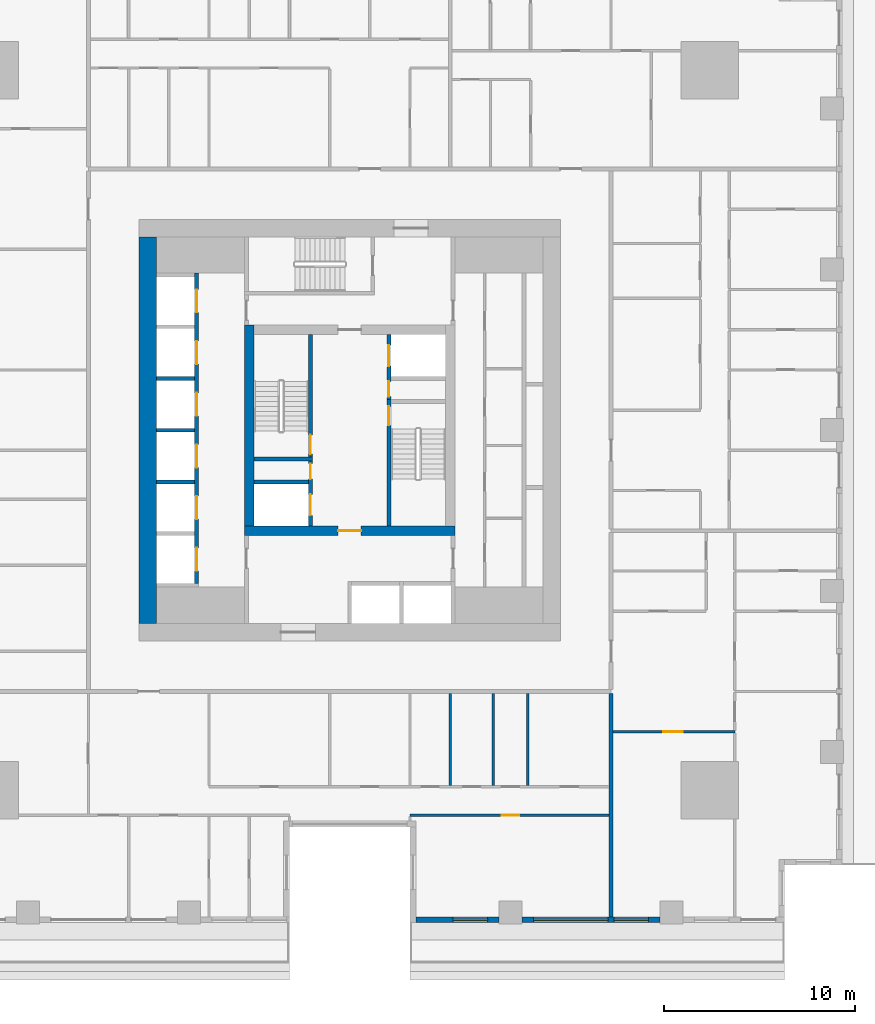
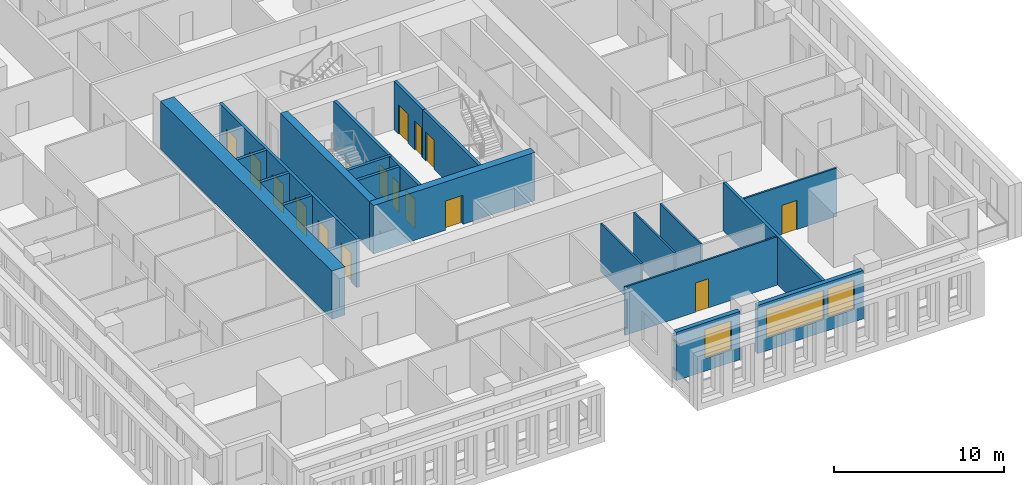
# One storey, part 4 of 15: 21 walls, 15 doors, 3 windows, 18 openings.
"""IFC4 building model written with IfcOpenShell, lengths in metres."""

from ifc_helpers import new_model, si_unit, direction, frame, frame_2d, origin, place, context, subcontext, project, spatial, rectangle, extrude, material, layer, layer_set, type_object, element, fill, save


model = new_model("IFC4")

# Units and contexts
model_context = context("Model", 3, precision=1e-05, world=origin(), true_north=direction((0.0, 1.0)))
body_context = subcontext(model_context, "Body", "Model", "MODEL_VIEW")
ifc_project = project(units=[si_unit("LENGTHUNIT", "METRE"), si_unit("AREAUNIT", "SQUARE_METRE"), si_unit("VOLUMEUNIT", "CUBIC_METRE"), si_unit("PLANEANGLEUNIT", "RADIAN"), si_unit("MASSUNIT", "GRAM", prefix="KILO")], contexts=[model_context])

# Site, building, storey
site_placement = place(None, origin())
site = spatial("IfcSite", under=ifc_project, at=site_placement, CompositionType="ELEMENT")
building_placement = place(site_placement, origin())
building = spatial("IfcBuilding", under=site, at=building_placement, Name="Khepri Terraces", CompositionType="ELEMENT")
storey_placement = place(building_placement, frame((0.0, 0.0, 30.89990234375)))
storey = spatial("IfcBuildingStorey", under=building, at=storey_placement, Name="L06", CompositionType="ELEMENT", Elevation=30.89990234375)

# Wall, opening, door
ifc_material_1 = material(Name="Concrete C80/95", Category="concrete")
ifc_layer_1 = layer(ifc_material_1, 0.199951171875, Name="Concrete C80/95", Category="concrete")
ifc_layer_set_1 = layer_set([ifc_layer_1], Name="Concrete C80/95")
wall_type_1 = type_object("IfcWallType", Name="Core wall 200 C80/95", PredefinedType="SHEAR", material=ifc_layer_set_1)
wall_1_placement = place(storey_placement, frame((2.050048828125, -5.0, 0.0), z_axis=(0.0, 0.0, 1.0), x_axis=(0.0, 1.0, 0.0)))
wall_1 = element("IfcWall", 1, at=wall_1_placement, inside=storey, type_object=wall_type_1, Name="Core wall ST01 L06", PredefinedType="SHEAR", context=body_context, shape_type="SweptSolid", body=[
    extrude(rectangle(XDim=6.60009765625, YDim=0.199951171875, at=frame_2d((3.300048828125, 0.0))), origin(), (0.0, 0.0, 1.0), 3.47998046875),
])
opening_1_placement = place(wall_1_placement, frame((5.25, 0.0, 0.0)))
opening_1 = element("IfcOpeningElement", 2, at=opening_1_placement, cuts=wall_1, Name="Opening L06-C10", PredefinedType="OPENING", context=body_context, shape_type="SweptSolid", body=[
    extrude(rectangle(XDim=1.0, YDim=2.10009765625, at=frame_2d((0.5, 1.050048828125))), frame((0.0, 0.10986328125, 0.0), z_axis=(0.0, -1.0, 0.0), x_axis=(1.0, 0.0, 0.0)), (0.0, 0.0, 1.0), 0.219970703125),
])
ifc_material_2 = material(Name="Painted steel", Category="steel")
door_type_1 = type_object("IfcDoorType", Name="DR-CORE-STAIR-1000", OperationType="NOTDEFINED", PredefinedType="DOOR", material=ifc_material_2)
door_1_placement = place(opening_1_placement, frame((1.0, 0.0, 0.0), z_axis=(0.0, 0.0, 1.0), x_axis=(-1.0, 0.0, 0.0)))
door_1 = element("IfcDoor", 3, at=door_1_placement, inside=storey, type_object=door_type_1, Name="Stair door L06-C10", OperationType="SINGLE_SWING_LEFT", OverallHeight=2.10009765625, OverallWidth=1.0, PredefinedType="DOOR", context=body_context, shape_type="SweptSolid", body=[
    extrude(rectangle(XDim=1.0, YDim=2.10009765625, at=frame_2d((0.5, 1.050048828125))), frame((0.0, 0.02490234375, 0.0), z_axis=(0.0, -1.0, 0.0), x_axis=(1.0, 0.0, 0.0)), (0.0, 0.0, 1.0), 0.050048828125),
])
fill(opening_1, door_1)

# Wall
wall_2_placement = place(storey_placement, frame((-5.0, -1.5, 0.0), z_axis=(0.0, 0.0, 1.0), x_axis=(1.0, 0.0, 0.0)))
element("IfcWall", 4, at=wall_2_placement, inside=storey, type_object=wall_type_1, Name="Core wall ST02 L06", PredefinedType="SHEAR", context=body_context, shape_type="SweptSolid", body=[
    extrude(rectangle(XDim=3.050048828125, YDim=0.199951171875, at=frame_2d((1.52490234375, 0.0))), origin(), (0.0, 0.0, 1.0), 3.47998046875),
])

# Wall, opening, door
wall_3_placement = place(storey_placement, frame((-2.050048828125, -1.39990234375, 0.0), z_axis=(0.0, 0.0, 1.0), x_axis=(0.0, 1.0, 0.0)))
wall_3 = element("IfcWall", 5, at=wall_3_placement, inside=storey, type_object=wall_type_1, Name="Core wall ST03 L06", PredefinedType="SHEAR", context=body_context, shape_type="SweptSolid", body=[
    extrude(rectangle(XDim=6.39990234375, YDim=0.199951171875, at=frame_2d((3.199951171875, 0.0))), origin(), (0.0, 0.0, 1.0), 3.47998046875),
])
opening_2_placement = place(wall_3_placement, frame((0.14990234375, 0.0, 0.0)))
opening_2 = element("IfcOpeningElement", 6, at=opening_2_placement, cuts=wall_3, Name="Opening L06-C09", PredefinedType="OPENING", context=body_context, shape_type="SweptSolid", body=[
    extrude(rectangle(XDim=1.0, YDim=2.10009765625, at=frame_2d((0.5, 1.050048828125))), frame((0.0, 0.10986328125, 0.0), z_axis=(0.0, -1.0, 0.0), x_axis=(1.0, 0.0, 0.0)), (0.0, 0.0, 1.0), 0.219970703125),
])
door_2_placement = place(opening_2_placement, origin())
door_2 = element("IfcDoor", 7, at=door_2_placement, inside=storey, type_object=door_type_1, Name="Stair door L06-C09", OperationType="SINGLE_SWING_LEFT", OverallHeight=2.10009765625, OverallWidth=1.0, PredefinedType="DOOR", context=body_context, shape_type="SweptSolid", body=[
    extrude(rectangle(XDim=1.0, YDim=2.10009765625, at=frame_2d((0.5, 1.050048828125))), frame((0.0, 0.02490234375, 0.0), z_axis=(0.0, -1.0, 0.0), x_axis=(1.0, 0.0, 0.0)), (0.0, 0.0, 1.0), 0.050048828125),
])
fill(opening_2, door_2)

# Wall, openings, doors
wall_4_placement = place(storey_placement, frame((-8.0, -8.0, 0.0), z_axis=(0.0, 0.0, 1.0), x_axis=(0.0, 1.0, 0.0)))
wall_4 = element("IfcWall", 8, at=wall_4_placement, inside=storey, type_object=wall_type_1, Name="Core wall SH08 L06", PredefinedType="SHEAR", context=body_context, shape_type="SweptSolid", body=[
    extrude(rectangle(XDim=16.199951171875, YDim=0.199951171875, at=frame_2d((8.10009765625, 0.0))), origin(), (0.0, 0.0, 1.0), 3.47998046875),
])
opening_3_placement = place(wall_4_placement, frame((0.64990234375, 0.0, 0.0)))
opening_3 = element("IfcOpeningElement", 9, at=opening_3_placement, cuts=wall_4, Name="Opening L06-C01", PredefinedType="OPENING", context=body_context, shape_type="SweptSolid", body=[
    extrude(rectangle(XDim=1.199951171875, YDim=2.10009765625, at=frame_2d((0.60009765625, 1.050048828125))), frame((0.0, 0.10986328125, 0.0), z_axis=(0.0, -1.0, 0.0), x_axis=(1.0, 0.0, 0.0)), (0.0, 0.0, 1.0), 0.219970703125),
])
opening_4_placement = place(wall_4_placement, frame((3.35009765625, 0.0, 0.0)))
opening_4 = element("IfcOpeningElement", 10, at=opening_4_placement, cuts=wall_4, Name="Opening L06-C02", PredefinedType="OPENING", context=body_context, shape_type="SweptSolid", body=[
    extrude(rectangle(XDim=1.199951171875, YDim=2.10009765625, at=frame_2d((0.60009765625, 1.050048828125))), frame((0.0, 0.10986328125, 0.0), z_axis=(0.0, -1.0, 0.0), x_axis=(1.0, 0.0, 0.0)), (0.0, 0.0, 1.0), 0.219970703125),
])
opening_5_placement = place(wall_4_placement, frame((6.050048828125, 0.0, 0.0)))
opening_5 = element("IfcOpeningElement", 11, at=opening_5_placement, cuts=wall_4, Name="Opening L06-C03", PredefinedType="OPENING", context=body_context, shape_type="SweptSolid", body=[
    extrude(rectangle(XDim=1.199951171875, YDim=2.10009765625, at=frame_2d((0.60009765625, 1.050048828125))), frame((0.0, 0.10986328125, 0.0), z_axis=(0.0, -1.0, 0.0), x_axis=(1.0, 0.0, 0.0)), (0.0, 0.0, 1.0), 0.219970703125),
])
opening_6_placement = place(wall_4_placement, frame((8.75, 0.0, 0.0)))
opening_6 = element("IfcOpeningElement", 12, at=opening_6_placement, cuts=wall_4, Name="Opening L06-C04", PredefinedType="OPENING", context=body_context, shape_type="SweptSolid", body=[
    extrude(rectangle(XDim=1.199951171875, YDim=2.10009765625, at=frame_2d((0.60009765625, 1.050048828125))), frame((0.0, 0.10986328125, 0.0), z_axis=(0.0, -1.0, 0.0), x_axis=(1.0, 0.0, 0.0)), (0.0, 0.0, 1.0), 0.219970703125),
])
opening_7_placement = place(wall_4_placement, frame((11.449951171875, 0.0, 0.0)))
opening_7 = element("IfcOpeningElement", 13, at=opening_7_placement, cuts=wall_4, Name="Opening L06-C05", PredefinedType="OPENING", context=body_context, shape_type="SweptSolid", body=[
    extrude(rectangle(XDim=1.199951171875, YDim=2.10009765625, at=frame_2d((0.60009765625, 1.050048828125))), frame((0.0, 0.10986328125, 0.0), z_axis=(0.0, -1.0, 0.0), x_axis=(1.0, 0.0, 0.0)), (0.0, 0.0, 1.0), 0.219970703125),
])
opening_8_placement = place(wall_4_placement, frame((14.14990234375, 0.0, 0.0)))
opening_8 = element("IfcOpeningElement", 14, at=opening_8_placement, cuts=wall_4, Name="Opening L06-C06", PredefinedType="OPENING", context=body_context, shape_type="SweptSolid", body=[
    extrude(rectangle(XDim=1.199951171875, YDim=2.10009765625, at=frame_2d((0.60009765625, 1.050048828125))), frame((0.0, 0.10986328125, 0.0), z_axis=(0.0, -1.0, 0.0), x_axis=(1.0, 0.0, 0.0)), (0.0, 0.0, 1.0), 0.219970703125),
])
ifc_material_3 = material(Name="Stainless steel 304", Category="steel")
door_type_2 = type_object("IfcDoorType", Name="DR-CORE-LANDING-1200", OperationType="NOTDEFINED", PredefinedType="DOOR", material=ifc_material_3)
door_3_placement = place(opening_3_placement, origin())
door_3 = element("IfcDoor", 15, at=door_3_placement, inside=storey, type_object=door_type_2, Name="Lift landing door L06-C01", OperationType="SLIDING_TO_LEFT", OverallHeight=2.10009765625, OverallWidth=1.199951171875, PredefinedType="DOOR", context=body_context, shape_type="SweptSolid", body=[
    extrude(rectangle(XDim=1.199951171875, YDim=2.10009765625, at=frame_2d((0.60009765625, 1.050048828125))), frame((0.0, 0.02490234375, 0.0), z_axis=(0.0, -1.0, 0.0), x_axis=(1.0, 0.0, 0.0)), (0.0, 0.0, 1.0), 0.050048828125),
])
fill(opening_3, door_3)
door_4_placement = place(opening_4_placement, origin())
door_4 = element("IfcDoor", 16, at=door_4_placement, inside=storey, type_object=door_type_2, Name="Lift landing door L06-C02", OperationType="SLIDING_TO_LEFT", OverallHeight=2.10009765625, OverallWidth=1.199951171875, PredefinedType="DOOR", context=body_context, shape_type="SweptSolid", body=[
    extrude(rectangle(XDim=1.199951171875, YDim=2.10009765625, at=frame_2d((0.60009765625, 1.050048828125))), frame((0.0, 0.02490234375, 0.0), z_axis=(0.0, -1.0, 0.0), x_axis=(1.0, 0.0, 0.0)), (0.0, 0.0, 1.0), 0.050048828125),
])
fill(opening_4, door_4)
door_5_placement = place(opening_5_placement, origin())
door_5 = element("IfcDoor", 17, at=door_5_placement, inside=storey, type_object=door_type_2, Name="Lift landing door L06-C03", OperationType="SLIDING_TO_LEFT", OverallHeight=2.10009765625, OverallWidth=1.199951171875, PredefinedType="DOOR", context=body_context, shape_type="SweptSolid", body=[
    extrude(rectangle(XDim=1.199951171875, YDim=2.10009765625, at=frame_2d((0.60009765625, 1.050048828125))), frame((0.0, 0.02490234375, 0.0), z_axis=(0.0, -1.0, 0.0), x_axis=(1.0, 0.0, 0.0)), (0.0, 0.0, 1.0), 0.050048828125),
])
fill(opening_5, door_5)
door_6_placement = place(opening_6_placement, origin())
door_6 = element("IfcDoor", 18, at=door_6_placement, inside=storey, type_object=door_type_2, Name="Lift landing door L06-C04", OperationType="SLIDING_TO_LEFT", OverallHeight=2.10009765625, OverallWidth=1.199951171875, PredefinedType="DOOR", context=body_context, shape_type="SweptSolid", body=[
    extrude(rectangle(XDim=1.199951171875, YDim=2.10009765625, at=frame_2d((0.60009765625, 1.050048828125))), frame((0.0, 0.02490234375, 0.0), z_axis=(0.0, -1.0, 0.0), x_axis=(1.0, 0.0, 0.0)), (0.0, 0.0, 1.0), 0.050048828125),
])
fill(opening_6, door_6)
door_7_placement = place(opening_7_placement, origin())
door_7 = element("IfcDoor", 19, at=door_7_placement, inside=storey, type_object=door_type_2, Name="Lift landing door L06-C05", OperationType="SLIDING_TO_LEFT", OverallHeight=2.10009765625, OverallWidth=1.199951171875, PredefinedType="DOOR", context=body_context, shape_type="SweptSolid", body=[
    extrude(rectangle(XDim=1.199951171875, YDim=2.10009765625, at=frame_2d((0.60009765625, 1.050048828125))), frame((0.0, 0.02490234375, 0.0), z_axis=(0.0, -1.0, 0.0), x_axis=(1.0, 0.0, 0.0)), (0.0, 0.0, 1.0), 0.050048828125),
])
fill(opening_7, door_7)
door_8_placement = place(opening_8_placement, origin())
door_8 = element("IfcDoor", 20, at=door_8_placement, inside=storey, type_object=door_type_2, Name="Lift landing door L06-C06", OperationType="SLIDING_TO_LEFT", OverallHeight=2.10009765625, OverallWidth=1.199951171875, PredefinedType="DOOR", context=body_context, shape_type="SweptSolid", body=[
    extrude(rectangle(XDim=1.199951171875, YDim=2.10009765625, at=frame_2d((0.60009765625, 1.050048828125))), frame((0.0, 0.02490234375, 0.0), z_axis=(0.0, -1.0, 0.0), x_axis=(1.0, 0.0, 0.0)), (0.0, 0.0, 1.0), 0.050048828125),
])
fill(opening_8, door_8)

wall_5_placement = place(storey_placement, frame((-2.050048828125, -5.0, 0.0), z_axis=(0.0, 0.0, 1.0), x_axis=(0.0, 1.0, 0.0)))
wall_5 = element("IfcWall", 21, at=wall_5_placement, inside=storey, type_object=wall_type_1, Name="Core wall SH10 L06", PredefinedType="SHEAR", context=body_context, shape_type="SweptSolid", body=[
    extrude(rectangle(XDim=3.39990234375, YDim=0.199951171875, at=frame_2d((1.699951171875, 0.0))), origin(), (0.0, 0.0, 1.0), 3.47998046875),
])
opening_9_placement = place(wall_5_placement, frame((0.550048828125, 0.0, 0.0)))
opening_9 = element("IfcOpeningElement", 22, at=opening_9_placement, cuts=wall_5, Name="Opening L06-C08", PredefinedType="OPENING", context=body_context, shape_type="SweptSolid", body=[
    extrude(rectangle(XDim=1.10009765625, YDim=2.10009765625, at=frame_2d((0.550048828125, 1.050048828125))), frame((0.0, 0.10986328125, 0.0), z_axis=(0.0, -1.0, 0.0), x_axis=(1.0, 0.0, 0.0)), (0.0, 0.0, 1.0), 0.219970703125),
])
opening_10_placement = place(wall_5_placement, frame((2.449951171875, 0.0, 0.0)))
opening_10 = element("IfcOpeningElement", 23, at=opening_10_placement, cuts=wall_5, Name="Opening L06-C12", PredefinedType="OPENING", context=body_context, shape_type="SweptSolid", body=[
    extrude(rectangle(XDim=0.800048828125, YDim=2.10009765625, at=frame_2d((0.39990234375, 1.050048828125))), frame((0.0, 0.10986328125, 0.0), z_axis=(0.0, -1.0, 0.0), x_axis=(1.0, 0.0, 0.0)), (0.0, 0.0, 1.0), 0.219970703125),
])
door_type_3 = type_object("IfcDoorType", Name="DR-CORE-FF-LANDING-1100", OperationType="NOTDEFINED", PredefinedType="DOOR", material=ifc_material_3)
door_9_placement = place(opening_9_placement, origin())
door_9 = element("IfcDoor", 24, at=door_9_placement, inside=storey, type_object=door_type_3, Name="Firefighting lift landing door L06-C08", OperationType="SLIDING_TO_LEFT", OverallHeight=2.10009765625, OverallWidth=1.10009765625, PredefinedType="DOOR", context=body_context, shape_type="SweptSolid", body=[
    extrude(rectangle(XDim=1.10009765625, YDim=2.10009765625, at=frame_2d((0.550048828125, 1.050048828125))), frame((0.0, 0.02490234375, 0.0), z_axis=(0.0, -1.0, 0.0), x_axis=(1.0, 0.0, 0.0)), (0.0, 0.0, 1.0), 0.050048828125),
])
fill(opening_9, door_9)
door_type_4 = type_object("IfcDoorType", Name="DR-CORE-RISER-800", OperationType="NOTDEFINED", PredefinedType="DOOR", material=ifc_material_2)
door_10_placement = place(opening_10_placement, origin())
door_10 = element("IfcDoor", 25, at=door_10_placement, inside=storey, type_object=door_type_4, Name="Riser door L06-C12", OperationType="SINGLE_SWING_RIGHT", OverallHeight=2.10009765625, OverallWidth=0.800048828125, PredefinedType="DOOR", context=body_context, shape_type="SweptSolid", body=[
    extrude(rectangle(XDim=0.800048828125, YDim=2.10009765625, at=frame_2d((0.39990234375, 1.050048828125))), frame((0.0, 0.02490234375, 0.0), z_axis=(0.0, -1.0, 0.0), x_axis=(1.0, 0.0, 0.0)), (0.0, 0.0, 1.0), 0.050048828125),
])
fill(opening_10, door_10)

# Walls
wall_6_placement = place(storey_placement, frame((-10.10009765625, -2.699951171875, 0.0), z_axis=(0.0, 0.0, 1.0), x_axis=(1.0, 0.0, 0.0)))
element("IfcWall", 26, at=wall_6_placement, inside=storey, type_object=wall_type_1, Name="Core wall SH12 L06", PredefinedType="SHEAR", context=body_context, shape_type="SweptSolid", body=[
    extrude(rectangle(XDim=2.0, YDim=0.199951171875, at=frame_2d((1.0, 0.0))), origin(), (0.0, 0.0, 1.0), 3.47998046875),
])
wall_7_placement = place(storey_placement, frame((-5.0, -2.699951171875, 0.0), z_axis=(0.0, 0.0, 1.0), x_axis=(1.0, 0.0, 0.0)))
element("IfcWall", 27, at=wall_7_placement, inside=storey, type_object=wall_type_1, Name="Core wall SH13 L06", PredefinedType="SHEAR", context=body_context, shape_type="SweptSolid", body=[
    extrude(rectangle(XDim=2.85009765625, YDim=0.199951171875, at=frame_2d((1.425048828125, 0.0))), origin(), (0.0, 0.0, 1.0), 3.47998046875),
])
wall_8_placement = place(storey_placement, frame((-10.10009765625, 0.0, 0.0), z_axis=(0.0, 0.0, 1.0), x_axis=(1.0, 0.0, 0.0)))
element("IfcWall", 28, at=wall_8_placement, inside=storey, type_object=wall_type_1, Name="Core wall SH14 L06", PredefinedType="SHEAR", context=body_context, shape_type="SweptSolid", body=[
    extrude(rectangle(XDim=2.0, YDim=0.199951171875, at=frame_2d((1.0, 0.0))), origin(), (0.0, 0.0, 1.0), 3.47998046875),
])

# Wall, openings, doors
wall_9_placement = place(storey_placement, frame((2.050048828125, 1.60009765625, 0.0), z_axis=(0.0, 0.0, 1.0), x_axis=(0.0, 1.0, 0.0)))
wall_9 = element("IfcWall", 29, at=wall_9_placement, inside=storey, type_object=wall_type_1, Name="Core wall SH15 L06", PredefinedType="SHEAR", context=body_context, shape_type="SweptSolid", body=[
    extrude(rectangle(XDim=3.39990234375, YDim=0.199951171875, at=frame_2d((1.699951171875, 0.0))), origin(), (0.0, 0.0, 1.0), 3.47998046875),
])
opening_11_placement = place(wall_9_placement, frame((1.75, 0.0, 0.0)))
opening_11 = element("IfcOpeningElement", 30, at=opening_11_placement, cuts=wall_9, Name="Opening L06-C07", PredefinedType="OPENING", context=body_context, shape_type="SweptSolid", body=[
    extrude(rectangle(XDim=1.10009765625, YDim=2.10009765625, at=frame_2d((0.550048828125, 1.050048828125))), frame((0.0, 0.10986328125, 0.0), z_axis=(0.0, -1.0, 0.0), x_axis=(1.0, 0.0, 0.0)), (0.0, 0.0, 1.0), 0.219970703125),
])
opening_12_placement = place(wall_9_placement, frame((0.14990234375, 0.0, 0.0)))
opening_12 = element("IfcOpeningElement", 31, at=opening_12_placement, cuts=wall_9, Name="Opening L06-C11", PredefinedType="OPENING", context=body_context, shape_type="SweptSolid", body=[
    extrude(rectangle(XDim=0.800048828125, YDim=2.10009765625, at=frame_2d((0.39990234375, 1.050048828125))), frame((0.0, 0.10986328125, 0.0), z_axis=(0.0, -1.0, 0.0), x_axis=(1.0, 0.0, 0.0)), (0.0, 0.0, 1.0), 0.219970703125),
])
door_11_placement = place(opening_11_placement, origin())
door_11 = element("IfcDoor", 32, at=door_11_placement, inside=storey, type_object=door_type_3, Name="Firefighting lift landing door L06-C07", OperationType="SLIDING_TO_LEFT", OverallHeight=2.10009765625, OverallWidth=1.10009765625, PredefinedType="DOOR", context=body_context, shape_type="SweptSolid", body=[
    extrude(rectangle(XDim=1.10009765625, YDim=2.10009765625, at=frame_2d((0.550048828125, 1.050048828125))), frame((0.0, 0.02490234375, 0.0), z_axis=(0.0, -1.0, 0.0), x_axis=(1.0, 0.0, 0.0)), (0.0, 0.0, 1.0), 0.050048828125),
])
fill(opening_11, door_11)
door_12_placement = place(opening_12_placement, frame((0.800048828125, 0.0, 0.0), z_axis=(0.0, 0.0, 1.0), x_axis=(-1.0, 0.0, 0.0)))
door_12 = element("IfcDoor", 33, at=door_12_placement, inside=storey, type_object=door_type_4, Name="Riser door L06-C11", OperationType="SINGLE_SWING_RIGHT", OverallHeight=2.10009765625, OverallWidth=0.800048828125, PredefinedType="DOOR", context=body_context, shape_type="SweptSolid", body=[
    extrude(rectangle(XDim=0.800048828125, YDim=2.10009765625, at=frame_2d((0.39990234375, 1.050048828125))), frame((0.0, 0.02490234375, 0.0), z_axis=(0.0, -1.0, 0.0), x_axis=(1.0, 0.0, 0.0)), (0.0, 0.0, 1.0), 0.050048828125),
])
fill(opening_12, door_12)

# Wall
wall_10_placement = place(storey_placement, frame((-10.10009765625, 2.699951171875, 0.0), z_axis=(0.0, 0.0, 1.0), x_axis=(1.0, 0.0, 0.0)))
element("IfcWall", 34, at=wall_10_placement, inside=storey, type_object=wall_type_1, Name="Core wall SH17 L06", PredefinedType="SHEAR", context=body_context, shape_type="SweptSolid", body=[
    extrude(rectangle(XDim=2.0, YDim=0.199951171875, at=frame_2d((1.0, 0.0))), origin(), (0.0, 0.0, 1.0), 3.47998046875),
])

# Wall, opening, door
ifc_layer_2 = layer(ifc_material_1, 0.5, Name="Concrete C80/95", Category="concrete")
ifc_layer_set_2 = layer_set([ifc_layer_2], Name="Concrete C80/95")
wall_type_2 = type_object("IfcWallType", Name="Core wall 500 C80/95", PredefinedType="SHEAR", material=ifc_layer_set_2)
wall_11_placement = place(storey_placement, frame((-5.5, -5.25, 0.0), z_axis=(0.0, 0.0, 1.0), x_axis=(1.0, 0.0, 0.0)))
wall_11 = element("IfcWall", 35, at=wall_11_placement, inside=storey, type_object=wall_type_2, Name="Core wall BX01 L06", PredefinedType="SHEAR", context=body_context, shape_type="SweptSolid", body=[
    extrude(rectangle(XDim=11.0, YDim=0.5, at=frame_2d((5.5, 0.0))), origin(), (0.0, 0.0, 1.0), 3.47998046875),
])
opening_13_placement = place(wall_11_placement, frame((4.89990234375, 0.0, 0.0)))
opening_13 = element("IfcOpeningElement", 36, at=opening_13_placement, cuts=wall_11, Name="Opening L06-C14", PredefinedType="OPENING", context=body_context, shape_type="SweptSolid", body=[
    extrude(rectangle(XDim=1.199951171875, YDim=2.10009765625, at=frame_2d((0.60009765625, 1.050048828125))), frame((0.0, 0.260009765625, 0.0), z_axis=(0.0, -1.0, 0.0), x_axis=(1.0, 0.0, 0.0)), (0.0, 0.0, 1.0), 0.52001953125),
])
door_type_5 = type_object("IfcDoorType", Name="DR-CORE-FF-LOBBY-1200", OperationType="NOTDEFINED", PredefinedType="DOOR", material=ifc_material_2)
door_13_placement = place(opening_13_placement, origin())
door_13 = element("IfcDoor", 37, at=door_13_placement, inside=storey, type_object=door_type_5, Name="Firefighting lobby door L06-C14", OperationType="SINGLE_SWING_RIGHT", OverallHeight=2.10009765625, OverallWidth=1.199951171875, PredefinedType="DOOR", context=body_context, shape_type="SweptSolid", body=[
    extrude(rectangle(XDim=1.199951171875, YDim=2.10009765625, at=frame_2d((0.60009765625, 1.050048828125))), frame((0.0, 0.02490234375, 0.0), z_axis=(0.0, -1.0, 0.0), x_axis=(1.0, 0.0, 0.0)), (0.0, 0.0, 1.0), 0.050048828125),
])
fill(opening_13, door_13)

# Walls
wall_12_placement = place(storey_placement, frame((-5.25, -5.0, 0.0), z_axis=(0.0, 0.0, 1.0), x_axis=(0.0, 1.0, 0.0)))
element("IfcWall", 38, at=wall_12_placement, inside=storey, type_object=wall_type_2, Name="Core wall BX02 L06", PredefinedType="SHEAR", context=body_context, shape_type="SweptSolid", body=[
    extrude(rectangle(XDim=10.5, YDim=0.5, at=frame_2d((5.25, 0.0))), origin(), (0.0, 0.0, 1.0), 3.47998046875),
])
ifc_layer_3 = layer(ifc_material_1, 0.89990234375, Name="Concrete C80/95", Category="concrete")
ifc_layer_set_3 = layer_set([ifc_layer_3], Name="Concrete C80/95")
wall_type_3 = type_object("IfcWallType", Name="Core wall 900 C80/95", PredefinedType="SHEAR", material=ifc_layer_set_3)
wall_13_placement = place(storey_placement, frame((-10.550048828125, -10.10009765625, 0.0), z_axis=(0.0, 0.0, 1.0), x_axis=(0.0, 1.0, 0.0)))
element("IfcWall", 39, at=wall_13_placement, inside=storey, type_object=wall_type_3, Name="Core wall OW-W L06", PredefinedType="SHEAR", context=body_context, shape_type="SweptSolid", body=[
    extrude(rectangle(XDim=20.2001953125, YDim=0.89990234375, at=frame_2d((10.10009765625, 0.0))), origin(), (0.0, 0.0, 1.0), 3.47998046875),
])
ifc_material_4 = material(Name="Fire-rated gypsum plasterboard partition, mineral wool")
ifc_layer_4 = layer(ifc_material_4, 0.199951171875, Name="Fire-rated gypsum plasterboard partition, mineral wool")
ifc_layer_set_4 = layer_set([ifc_layer_4], Name="Fire-rated gypsum plasterboard partition, mineral wool")
wall_type_4 = type_object("IfcWallType", Name="WL-CORR-200", PredefinedType="PARTITIONING", material=ifc_layer_set_4)
wall_14_placement = place(storey_placement, frame((13.64990234375, -25.419921875, 0.0), z_axis=(0.0, 0.0, 1.0), x_axis=(0.0, 1.0, 0.0)))
element("IfcWall", 40, at=wall_14_placement, inside=storey, type_object=wall_type_4, Name="Partition P-004 L06", PredefinedType="PARTITIONING", context=body_context, shape_type="SweptSolid", body=[
    extrude(rectangle(XDim=11.669921875, YDim=0.199951171875, at=frame_2d((5.8349609375, 0.0))), origin(), (0.0, 0.0, 1.0), 3.47998046875),
])

# Wall, opening, window
ifc_material_5 = material(Name="Precast concrete C50/60 warm stone", Category="masonry")
ifc_layer_5 = layer(ifc_material_5, 0.300048828125, Name="Precast concrete C50/60 warm stone", Category="masonry")
ifc_layer_set_5 = layer_set([ifc_layer_5], Name="Precast concrete C50/60 warm stone")
wall_type_5 = type_object("IfcWallType", Name="WL-EXT-PRECAST-300", PredefinedType="STANDARD", material=ifc_layer_set_5)
wall_15_placement = place(storey_placement, frame((3.449951171875, -25.570068359375, 0.0), z_axis=(0.0, 0.0, 1.0), x_axis=(1.0, 0.0, 0.0)))
wall_15 = element("IfcWall", 41, at=wall_15_placement, inside=storey, type_object=wall_type_5, Name="External wall L06 S", PredefinedType="STANDARD", context=body_context, shape_type="SweptSolid", body=[
    extrude(rectangle(XDim=4.35009765625, YDim=0.300048828125, at=frame_2d((2.175048828125, 0.0))), origin(), (0.0, 0.0, 1.0), 3.47998046875),
])
opening_14_placement = place(wall_15_placement, frame((1.949951171875, 0.0, 0.89990234375)))
opening_14 = element("IfcOpeningElement", 42, at=opening_14_placement, cuts=wall_15, Name="Opening W1", PredefinedType="OPENING", context=body_context, shape_type="SweptSolid", body=[
    extrude(rectangle(XDim=1.800048828125, YDim=2.10009765625, at=frame_2d((0.89990234375, 1.050048828125))), frame((0.0, 0.16015625, 0.0), z_axis=(0.0, -1.0, 0.0), x_axis=(1.0, 0.0, 0.0)), (0.0, 0.0, 1.0), 0.320068359375),
])
ifc_material_6 = material(Name="Clear glass", Category="glass")
window_type_1 = type_object("IfcWindowType", Name="WIN-RES-1800x2100", PartitioningType="SINGLE_PANEL", PredefinedType="WINDOW", material=ifc_material_6)
window_1_placement = place(opening_14_placement, origin())
window_1 = element("IfcWindow", 43, at=window_1_placement, inside=storey, type_object=window_type_1, Name="Window L06 S", OverallHeight=2.10009765625, OverallWidth=1.800048828125, PartitioningType="SINGLE_PANEL", PredefinedType="WINDOW", context=body_context, shape_type="SweptSolid", body=[
    extrude(rectangle(XDim=1.800048828125, YDim=2.10009765625, at=frame_2d((0.89990234375, 1.050048828125))), frame((0.0, 0.030029296875, 0.0), z_axis=(0.0, -1.0, 0.0), x_axis=(1.0, 0.0, 0.0)), (0.0, 0.0, 1.0), 0.06005859375),
])
fill(opening_14, window_1)

# Wall, openings, windows
wall_16_placement = place(storey_placement, frame((9.0, -25.570068359375, 0.0), z_axis=(0.0, 0.0, 1.0), x_axis=(1.0, 0.0, 0.0)))
wall_16 = element("IfcWall", 44, at=wall_16_placement, inside=storey, type_object=wall_type_5, Name="External wall L06 S", PredefinedType="STANDARD", context=body_context, shape_type="SweptSolid", body=[
    extrude(rectangle(XDim=7.199951171875, YDim=0.300048828125, at=frame_2d((3.60009765625, 0.0))), origin(), (0.0, 0.0, 1.0), 3.47998046875),
])
opening_15_placement = place(wall_16_placement, frame((0.60009765625, 0.0, 0.89990234375)))
opening_15 = element("IfcOpeningElement", 45, at=opening_15_placement, cuts=wall_16, Name="Opening W2", PredefinedType="OPENING", context=body_context, shape_type="SweptSolid", body=[
    extrude(rectangle(XDim=3.89990234375, YDim=2.10009765625, at=frame_2d((1.949951171875, 1.050048828125))), frame((0.0, 0.16015625, 0.0), z_axis=(0.0, -1.0, 0.0), x_axis=(1.0, 0.0, 0.0)), (0.0, 0.0, 1.0), 0.320068359375),
])
opening_16_placement = place(wall_16_placement, frame((4.800048828125, 0.0, 0.89990234375)))
opening_16 = element("IfcOpeningElement", 46, at=opening_16_placement, cuts=wall_16, Name="Opening W1", PredefinedType="OPENING", context=body_context, shape_type="SweptSolid", body=[
    extrude(rectangle(XDim=1.800048828125, YDim=2.10009765625, at=frame_2d((0.89990234375, 1.050048828125))), frame((0.0, 0.16015625, 0.0), z_axis=(0.0, -1.0, 0.0), x_axis=(1.0, 0.0, 0.0)), (0.0, 0.0, 1.0), 0.320068359375),
])
window_2_placement = place(opening_16_placement, origin())
window_2 = element("IfcWindow", 47, at=window_2_placement, inside=storey, type_object=window_type_1, Name="Window L06 S", OverallHeight=2.10009765625, OverallWidth=1.800048828125, PartitioningType="SINGLE_PANEL", PredefinedType="WINDOW", context=body_context, shape_type="SweptSolid", body=[
    extrude(rectangle(XDim=1.800048828125, YDim=2.10009765625, at=frame_2d((0.89990234375, 1.050048828125))), frame((0.0, 0.030029296875, 0.0), z_axis=(0.0, -1.0, 0.0), x_axis=(1.0, 0.0, 0.0)), (0.0, 0.0, 1.0), 0.06005859375),
])
fill(opening_16, window_2)
window_type_2 = type_object("IfcWindowType", Name="WIN-RES-3900x2100", PartitioningType="SINGLE_PANEL", PredefinedType="WINDOW", material=ifc_material_6)
window_3_placement = place(opening_15_placement, origin())
window_3 = element("IfcWindow", 48, at=window_3_placement, inside=storey, type_object=window_type_2, Name="Window L06 S", OverallHeight=2.10009765625, OverallWidth=3.89990234375, PartitioningType="SINGLE_PANEL", PredefinedType="WINDOW", context=body_context, shape_type="SweptSolid", body=[
    extrude(rectangle(XDim=3.89990234375, YDim=2.10009765625, at=frame_2d((1.949951171875, 1.050048828125))), frame((0.0, 0.030029296875, 0.0), z_axis=(0.0, -1.0, 0.0), x_axis=(1.0, 0.0, 0.0)), (0.0, 0.0, 1.0), 0.06005859375),
])
fill(opening_15, window_3)

# Wall, opening, door
ifc_material_7 = material(Name="Gypsum plasterboard partition")
ifc_layer_6 = layer(ifc_material_7, 0.1201171875, Name="Gypsum plasterboard partition")
ifc_layer_set_6 = layer_set([ifc_layer_6], Name="Gypsum plasterboard partition")
wall_type_6 = type_object("IfcWallType", Name="WL-PART-120", PredefinedType="PARTITIONING", material=ifc_layer_set_6)
wall_17_placement = place(storey_placement, frame((3.14990234375, -20.1201171875, 0.0), z_axis=(0.0, 0.0, 1.0), x_axis=(1.0, 0.0, 0.0)))
wall_17 = element("IfcWall", 49, at=wall_17_placement, inside=storey, type_object=wall_type_6, Name="Partition P-010 L06", PredefinedType="PARTITIONING", context=body_context, shape_type="SweptSolid", body=[
    extrude(rectangle(XDim=10.400146484375, YDim=0.1201171875, at=frame_2d((5.2001953125, 0.0))), origin(), (0.0, 0.0, 1.0), 3.47998046875),
])
opening_17_placement = place(wall_17_placement, frame((4.800048828125, 0.0, 0.0)))
opening_17 = element("IfcOpeningElement", 50, at=opening_17_placement, cuts=wall_17, Name="Opening D3", PredefinedType="OPENING", context=body_context, shape_type="SweptSolid", body=[
    extrude(rectangle(XDim=0.89990234375, YDim=2.10009765625, at=frame_2d((0.449951171875, 1.050048828125))), frame((0.0, 0.070068359375, 0.0), z_axis=(0.0, -1.0, 0.0), x_axis=(1.0, 0.0, 0.0)), (0.0, 0.0, 1.0), 0.14013671875),
])
ifc_material_8 = material(Name="Timber door leaf", Category="wood")
door_type_6 = type_object("IfcDoorType", Name="DR-INT-900", OperationType="NOTDEFINED", PredefinedType="DOOR", material=ifc_material_8)
door_14_placement = place(opening_17_placement, frame((0.89990234375, 0.0, 0.0), z_axis=(0.0, 0.0, 1.0), x_axis=(-1.0, 0.0, 0.0)))
door_14 = element("IfcDoor", 51, at=door_14_placement, inside=storey, type_object=door_type_6, Name="Door Home Gym", OperationType="SINGLE_SWING_LEFT", OverallHeight=2.10009765625, OverallWidth=0.89990234375, PredefinedType="DOOR", context=body_context, shape_type="SweptSolid", body=[
    extrude(rectangle(XDim=0.89990234375, YDim=2.10009765625, at=frame_2d((0.449951171875, 1.050048828125))), frame((0.0, 0.02490234375, 0.0), z_axis=(0.0, -1.0, 0.0), x_axis=(1.0, 0.0, 0.0)), (0.0, 0.0, 1.0), 0.050048828125),
])
fill(opening_17, door_14)

# Walls
for number, where, z_axis, x_axis, name in (
    (52, (5.25, -18.56005859375, 0.0), (0.0, 0.0, 1.0), (0.0, 1.0, 0.0), "Partition P-016 L06"),
    (53, (7.5, -18.56005859375, 0.0), (0.0, 0.0, 1.0), (0.0, 1.0, 0.0), "Partition P-017 L06"),
    (54, (9.300048828125, -18.56005859375, 0.0), (0.0, 0.0, 1.0), (0.0, 1.0, 0.0), "Partition P-018 L06"),
):
    element("IfcWall", number, at=place(storey_placement, frame(where, z_axis=z_axis, x_axis=x_axis)), inside=storey, type_object=wall_type_6, Name=name, PredefinedType="PARTITIONING", context=body_context, shape_type="SweptSolid", body=[
        extrude(rectangle(XDim=4.81005859375, YDim=0.1201171875, at=frame_2d((2.405029296875, 0.0))), origin(), (0.0, 0.0, 1.0), 3.47998046875),
    ])

# Wall, opening, door
wall_18_placement = place(storey_placement, frame((13.75, -15.75, 0.0), z_axis=(0.0, 0.0, 1.0), x_axis=(1.0, 0.0, 0.0)))
wall_18 = element("IfcWall", 55, at=wall_18_placement, inside=storey, type_object=wall_type_6, Name="Partition P-020 L06", PredefinedType="PARTITIONING", context=body_context, shape_type="SweptSolid", body=[
    extrude(rectangle(XDim=6.3701171875, YDim=0.1201171875, at=frame_2d((3.18505859375, 0.0))), origin(), (0.0, 0.0, 1.0), 3.47998046875),
])
opening_18_placement = place(wall_18_placement, frame((2.635009765625, 0.0, 0.0)))
opening_18 = element("IfcOpeningElement", 56, at=opening_18_placement, cuts=wall_18, Name="Opening D2", PredefinedType="OPENING", context=body_context, shape_type="SweptSolid", body=[
    extrude(rectangle(XDim=1.0, YDim=2.10009765625, at=frame_2d((0.5, 1.050048828125))), frame((0.0, 0.070068359375, 0.0), z_axis=(0.0, -1.0, 0.0), x_axis=(1.0, 0.0, 0.0)), (0.0, 0.0, 1.0), 0.14013671875),
])
ifc_material_9 = material(Name="Timber door leaf, living room door", Category="wood")
door_type_7 = type_object("IfcDoorType", Name="DR-INT-1000", OperationType="NOTDEFINED", PredefinedType="DOOR", material=ifc_material_9)
door_15_placement = place(opening_18_placement, frame((1.0, 0.0, 0.0), z_axis=(0.0, 0.0, 1.0), x_axis=(-1.0, 0.0, 0.0)))
door_15 = element("IfcDoor", 57, at=door_15_placement, inside=storey, type_object=door_type_7, Name="Door Family Room", OperationType="SINGLE_SWING_RIGHT", OverallHeight=2.10009765625, OverallWidth=1.0, PredefinedType="DOOR", context=body_context, shape_type="SweptSolid", body=[
    extrude(rectangle(XDim=1.0, YDim=2.10009765625, at=frame_2d((0.5, 1.050048828125))), frame((0.0, 0.02490234375, 0.0), z_axis=(0.0, -1.0, 0.0), x_axis=(1.0, 0.0, 0.0)), (0.0, 0.0, 1.0), 0.050048828125),
])
fill(opening_18, door_15)

save(model, "model.ifc")
